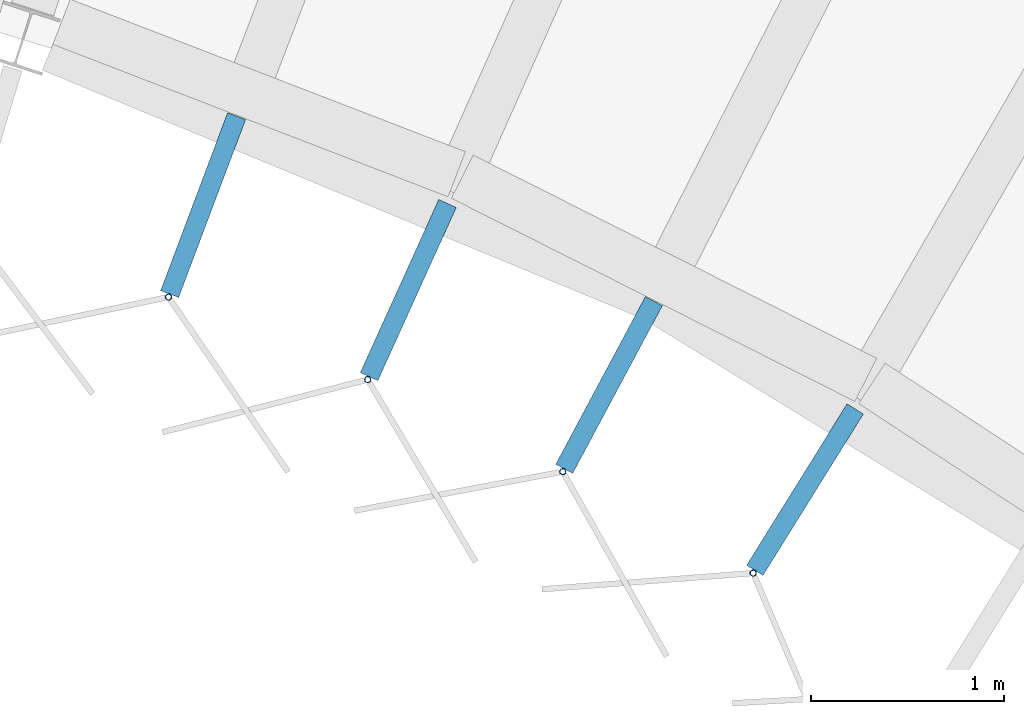
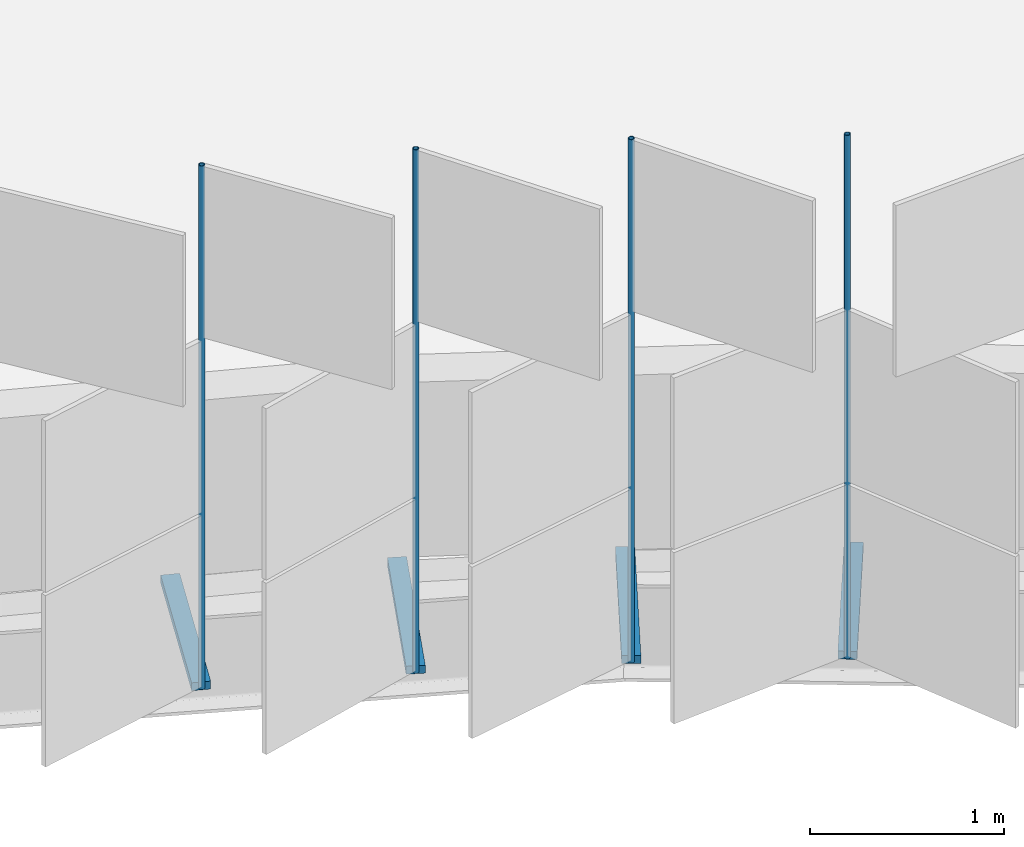
# One storey, part 109 of 198: 8 discrete accessories.
"""IFC4 building model written with IfcOpenShell, lengths in metres."""

from ifc_helpers import new_model, si_unit, direction, frame, origin, origin_2d, place, context, subcontext, project, spatial, rectangle, hollow_circle, extrude, material, material_profile, profile_set, type_object, element, save


model = new_model("IFC4")

# Units and contexts
model_context = context("Model", 3, precision=1e-05, world=origin(), true_north=direction((0.0, 1.0)))
body_context = subcontext(model_context, "Body", "Model", "MODEL_VIEW")
ifc_project = project(units=[si_unit("LENGTHUNIT", "METRE"), si_unit("AREAUNIT", "SQUARE_METRE"), si_unit("VOLUMEUNIT", "CUBIC_METRE"), si_unit("PLANEANGLEUNIT", "RADIAN"), si_unit("MASSUNIT", "GRAM", prefix="KILO")], contexts=[model_context])

# Site, building, storey
site_placement = place(None, origin())
site = spatial("IfcSite", under=ifc_project, at=site_placement, CompositionType="ELEMENT")
building_placement = place(site_placement, origin())
building = spatial("IfcBuilding", under=site, at=building_placement, Name="Parallax Yard Mobility Hub", CompositionType="ELEMENT")
storey_placement = place(building_placement, frame((0.0, 0.0, 6.60009765625)))
storey = spatial("IfcBuildingStorey", under=building, at=storey_placement, Name="L02", CompositionType="ELEMENT", Elevation=6.60009765625)

# Discrete accessories
ifc_material_1 = material(Name="Steel ASTM A36, hot-dip galvanised", Category="steel")
discrete_accessory_type_1 = type_object("IfcDiscreteAccessoryType", Name="Hinge bracket plate 100x50", PredefinedType="BRACKET", material=ifc_material_1)
for number, where, z_axis, x_axis, name in (
    (1, (180.384033203125, 110.535400390625, -0.02490234375), (0.0, 0.0, 1.0), (-0.352250047921, -0.935905926757, 0.0), "Hinge bracket plate bay 19.2 level L02"),
    (2, (181.44580078125, 110.095703125, -0.02490234375), (0.0, 0.0, 1.0), (-0.412707029804, -0.910863824921, 0.0), "Hinge bracket plate bay 19.3 level L02"),
    (3, (182.484619140625, 109.6044921875, -0.02490234375), (0.0, 0.0, 1.0), (-0.471396736826, -0.881921264348, 0.0), "Hinge bracket plate bay 19.4 level L02"),
    (4, (183.498779296875, 109.06298828125, -0.02490234375), (0.0, 0.0, 1.0), (-0.52806785065, -0.849202181527, 0.0), "Hinge bracket plate bay 19.5 level L02"),
):
    element("IfcDiscreteAccessory", number, at=place(storey_placement, frame(where, z_axis=z_axis, x_axis=x_axis)), inside=storey, type_object=discrete_accessory_type_1, Name=name, PredefinedType="BRACKET", context=body_context, shape_type="SweptSolid", body=[
        extrude(rectangle(XDim=0.984130859375, YDim=0.10009765625, at=origin_2d()), origin(), (0.0, 0.0, 1.0), 0.050048828125),
    ])
ifc_material_2 = material(Name="Steel ASTM A500 Gr C, hot-dip galvanised", Category="steel")
ifc_material_profile = material_profile(ifc_material_2, hollow_circle(Radius=0.016845703125, WallThickness=0.003173828125, at=origin_2d()), Name="CHS 33.7x3.2")
ifc_profile_set = profile_set([ifc_material_profile], Name="Steel ASTM A500 Gr C, hot-dip galvanised")
discrete_accessory_type_2 = type_object("IfcDiscreteAccessoryType", Name="Hinge post CHS 33.7x3.2", PredefinedType="BRACKET", material=ifc_profile_set)
for number, where, z_axis, x_axis, name in (
    (5, (180.204833984375, 110.0595703125, 0.0), (0.0, 0.0, 1.0), (1.0, 0.0, 0.0), "Hinge post bay 19.2 level L02"),
    (6, (181.23583984375, 109.632568359375, 0.0), (0.0, 0.0, 1.0), (1.0, 0.0, 0.0), "Hinge post bay 19.3 level L02"),
    (7, (182.2451171875, 109.156005859375, 0.0), (0.0, 0.0, 1.0), (1.0, 0.0, 0.0), "Hinge post bay 19.4 level L02"),
    (8, (183.23046875, 108.631103515625, 0.0), (0.0, 0.0, 1.0), (1.0, 0.0, 0.0), "Hinge post bay 19.5 level L02"),
):
    element("IfcDiscreteAccessory", number, at=place(storey_placement, frame(where, z_axis=z_axis, x_axis=x_axis)), inside=storey, type_object=discrete_accessory_type_2, Name=name, PredefinedType="BRACKET", context=body_context, shape_type="SweptSolid", body=[
        extrude(hollow_circle(Radius=0.016845703125, WallThickness=0.003173828125, at=origin_2d()), origin(), (0.0, 0.0, 1.0), 3.2998046875),
    ])

save(model, "model.ifc")
